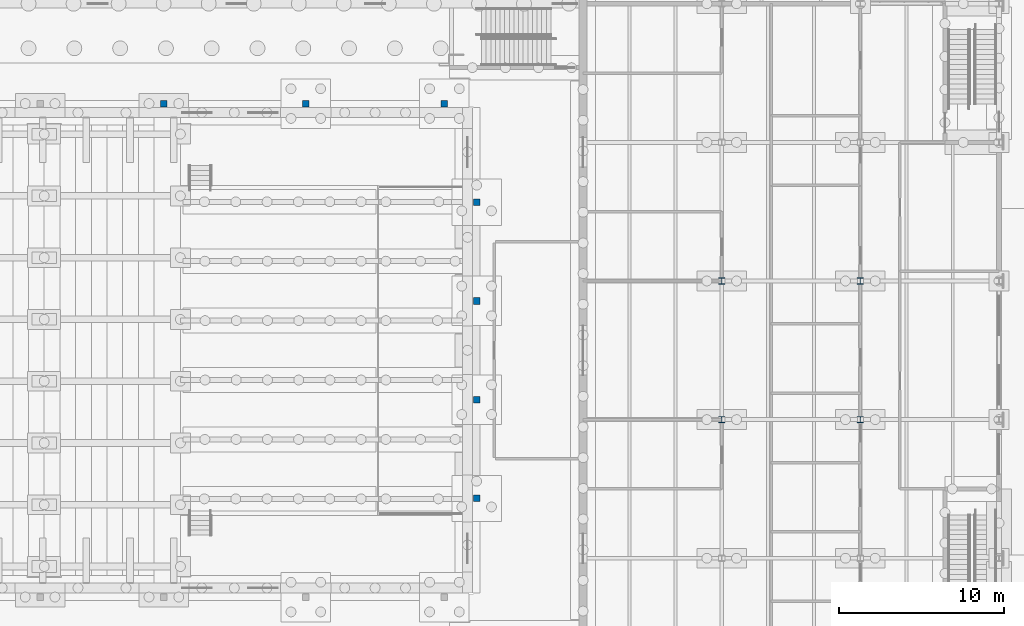
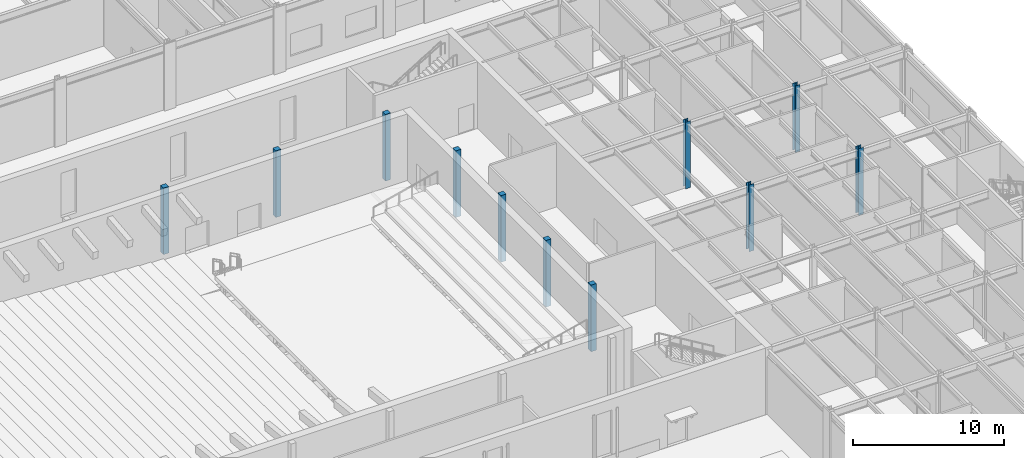
# One storey, part 27 of 127: 11 columns.
"""IFC4 building model written with IfcOpenShell, lengths in metres."""

from ifc_helpers import new_model, si_unit, direction, frame, origin, origin_2d, place, context, subcontext, project, spatial, rectangle, i_section, extrude, material, material_profile, profile_set, type_object, element, save


model = new_model("IFC4")

# Units and contexts
model_context = context("Model", 3, precision=1e-05, world=origin(), true_north=direction((0.0, 1.0)))
body_context = subcontext(model_context, "Body", "Model", "MODEL_VIEW")
ifc_project = project(units=[si_unit("LENGTHUNIT", "METRE"), si_unit("AREAUNIT", "SQUARE_METRE"), si_unit("VOLUMEUNIT", "CUBIC_METRE"), si_unit("PLANEANGLEUNIT", "RADIAN"), si_unit("MASSUNIT", "GRAM", prefix="KILO")], contexts=[model_context])

# Site, building, storey
site_placement = place(None, origin())
site = spatial("IfcSite", under=ifc_project, at=site_placement, CompositionType="ELEMENT")
building_placement = place(site_placement, origin())
building = spatial("IfcBuilding", under=site, at=building_placement, Name="Ljudholm Concert House", CompositionType="ELEMENT")
storey_placement = place(building_placement, origin())
storey = spatial("IfcBuildingStorey", under=building, at=storey_placement, Name="L00", CompositionType="ELEMENT", Elevation=0.0)

# Columns
ifc_material_1 = material(Name="Concrete 6,500 psi", Category="concrete")
ifc_material_profile_1 = material_profile(ifc_material_1, rectangle(XDim=0.39990234375, YDim=0.39990234375, at=origin_2d()), Name="RC COLUMN 400x400")
ifc_profile_set_1 = profile_set([ifc_material_profile_1], Name="Concrete 6,500 psi")
column_type_1 = type_object("IfcColumnType", Name="RC COLUMN 400x400", PredefinedType="COLUMN", material=ifc_profile_set_1)
for number, where, z_axis, x_axis, name in (
    (1, (71.0, 90.35009765625, 0.0), (0.0, 0.0, 1.0), (1.0, 0.0, 0.0), "Ring column"),
    (2, (79.60009765625, 90.35009765625, 0.0), (0.0, 0.0, 1.0), (1.0, 0.0, 0.0), "Ring column"),
    (3, (88.0, 90.35009765625, 0.0), (0.0, 0.0, 1.0), (1.0, 0.0, 0.0), "Ring column"),
    (4, (89.949951171875, 66.429931640625, 0.0), (0.0, 0.0, 1.0), (1.0, 0.0, 0.0), "Ring column"),
    (5, (89.949951171875, 72.409912109375, 0.0), (0.0, 0.0, 1.0), (1.0, 0.0, 0.0), "Ring column"),
    (6, (89.949951171875, 78.389892578125, 0.0), (0.0, 0.0, 1.0), (1.0, 0.0, 0.0), "Ring column"),
    (7, (89.949951171875, 84.3701171875, 0.0), (0.0, 0.0, 1.0), (1.0, 0.0, 0.0), "Ring column"),
):
    element("IfcColumn", number, at=place(storey_placement, frame(where, z_axis=z_axis, x_axis=x_axis)), inside=storey, type_object=column_type_1, Name=name, PredefinedType="COLUMN", context=body_context, shape_type="SweptSolid", body=[
        extrude(rectangle(XDim=0.39990234375, YDim=0.39990234375, at=origin_2d()), origin(), (0.0, 0.0, 1.0), 5.39990234375),
    ])
ifc_material_2 = material(Name="Steel ASTM A992", Category="steel")
ifc_material_profile_2 = material_profile(ifc_material_2, i_section(OverallWidth=0.373291015625, OverallDepth=0.373291015625, WebThickness=0.016357421875, FlangeThickness=0.026123046875, FilletRadius=0.01513671875, at=origin_2d()), Name="W14X132")
ifc_profile_set_2 = profile_set([ifc_material_profile_2], Name="Steel ASTM A992")
column_type_2 = type_object("IfcColumnType", Name="STEEL COLUMN W14X132", PredefinedType="COLUMN", material=ifc_profile_set_2)
for number, where, z_axis, x_axis, name in (
    (8, (104.800048828125, 71.199951171875, 0.0), (0.0, 0.0, 1.0), (1.0, 0.0, 0.0), "Column BOH-L00-col-104.8-71.2"),
    (9, (104.800048828125, 79.60009765625, 0.0), (0.0, 0.0, 1.0), (1.0, 0.0, 0.0), "Column BOH-L00-col-104.8-79.6"),
    (10, (113.199951171875, 71.199951171875, 0.0), (0.0, 0.0, 1.0), (1.0, 0.0, 0.0), "Column BOH-L00-col-113.2-71.2"),
    (11, (113.199951171875, 79.60009765625, 0.0), (0.0, 0.0, 1.0), (1.0, 0.0, 0.0), "Column BOH-L00-col-113.2-79.6"),
):
    element("IfcColumn", number, at=place(storey_placement, frame(where, z_axis=z_axis, x_axis=x_axis)), inside=storey, type_object=column_type_2, Name=name, PredefinedType="COLUMN", context=body_context, shape_type="SweptSolid", body=[
        extrude(i_section(OverallWidth=0.373291015625, OverallDepth=0.373291015625, WebThickness=0.016357421875, FlangeThickness=0.026123046875, FilletRadius=0.01513671875, at=origin_2d()), origin(), (0.0, 0.0, 1.0), 5.39990234375),
    ])

save(model, "model.ifc")
